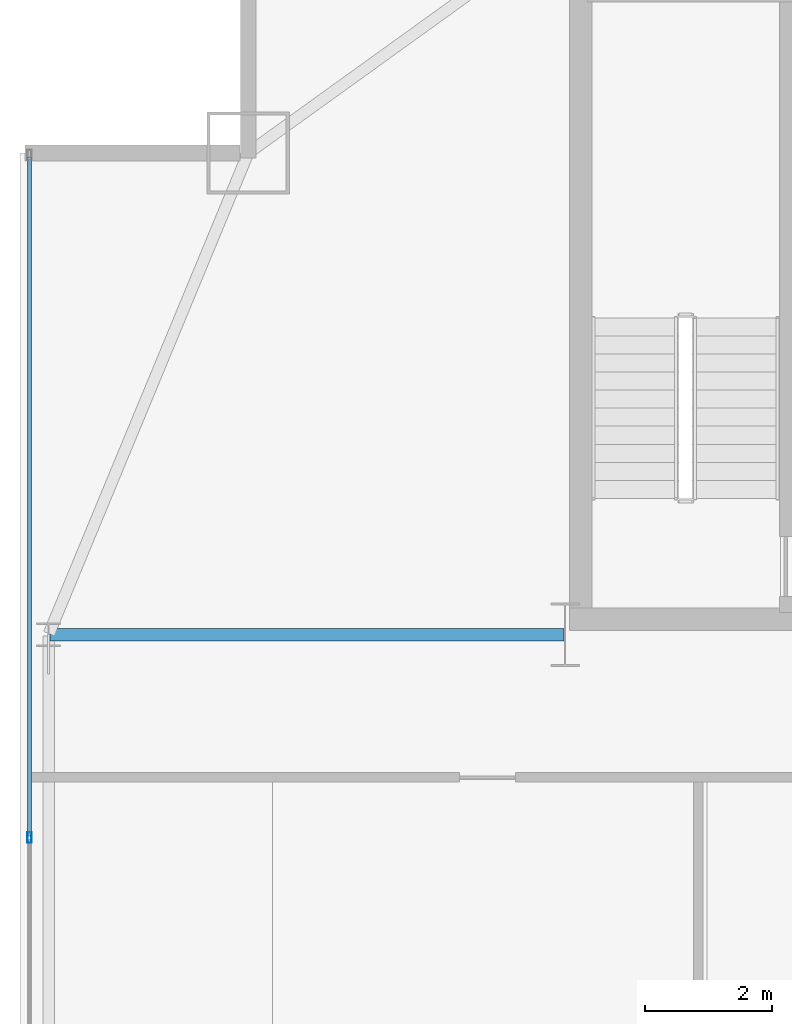
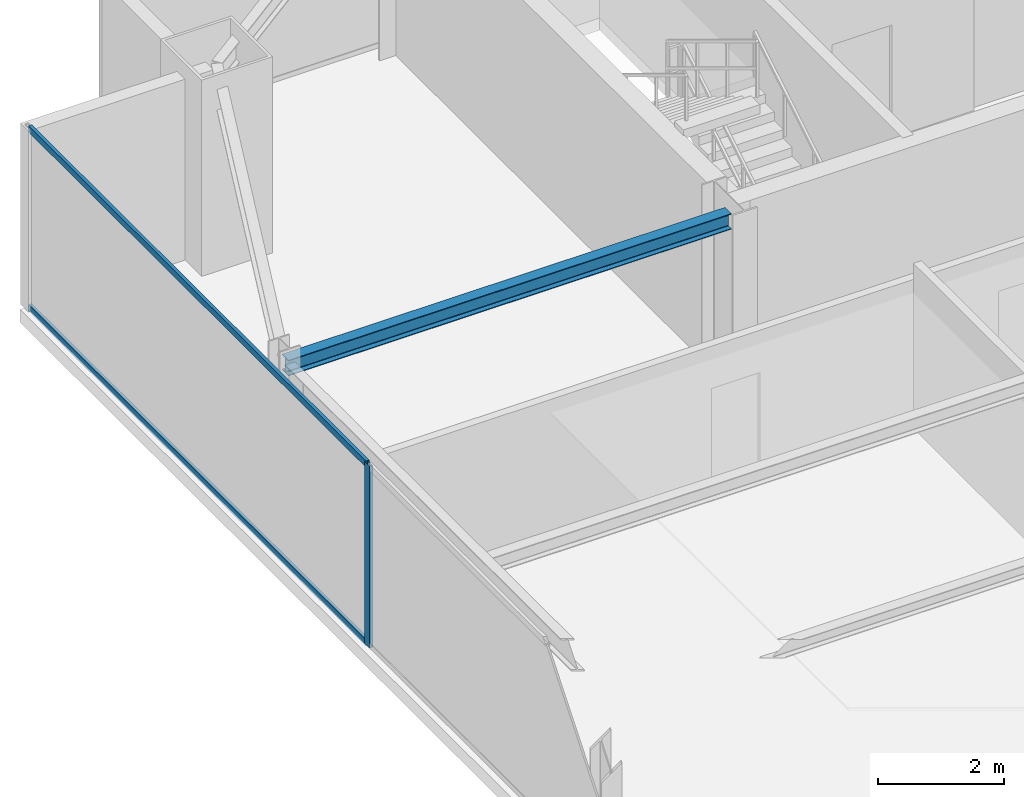
# One storey, part 11 of 29: 3 members, 1 beam, 1 element without a shape of its own.
"""IFC4 building model written with IfcOpenShell, lengths in metres."""

from ifc_helpers import new_model, si_unit, direction, frame, origin, origin_2d, place, context, subcontext, project, spatial, hollow_rectangle, i_section, extrude, source, transform, mapped, material, layer, layer_set, material_profile, profile_set, type_object, type_shapes, element, aggregate, save


model = new_model("IFC4")

# Units and contexts
model_context = context("Model", 3, precision=1e-05, world=origin(), true_north=direction((0.0, 1.0)))
body_context = subcontext(model_context, "Body", "Model", "MODEL_VIEW")
ifc_project = project(units=[si_unit("LENGTHUNIT", "METRE"), si_unit("AREAUNIT", "SQUARE_METRE"), si_unit("VOLUMEUNIT", "CUBIC_METRE"), si_unit("PLANEANGLEUNIT", "RADIAN"), si_unit("MASSUNIT", "GRAM", prefix="KILO")], contexts=[model_context])

# Site, building, storey
site_placement = place(None, origin())
site = spatial("IfcSite", under=ifc_project, at=site_placement, CompositionType="ELEMENT")
building_placement = place(site_placement, origin())
building = spatial("IfcBuilding", under=site, at=building_placement, Name="Varnel Quay Broadcast Tower", CompositionType="ELEMENT")
storey_placement = place(building_placement, frame((0.0, 0.0, 187.60009765625)))
storey = spatial("IfcBuildingStorey", under=building, at=storey_placement, Name="L46", CompositionType="ELEMENT", Elevation=187.60009765625)

# Beam
ifc_material_1 = material(Name="Structural Steel CSA G40.21 350W", Category="steel")
ifc_material_profile_1 = material_profile(ifc_material_1, i_section(OverallWidth=0.202880859375, OverallDepth=0.302978515625, WebThickness=0.007568359375, FlangeThickness=0.01318359375, FilletRadius=0.011962890625, at=origin_2d()), Name="W310X60")
ifc_profile_set_1 = profile_set([ifc_material_profile_1], Name="Structural Steel CSA G40.21 350W")
beam_type = type_object("IfcBeamType", Name="Beam_W310X60", PredefinedType="JOIST", material=ifc_profile_set_1)
shared_shape_1 = source(origin(), body_context, "Body", "SweptSolid", [
    extrude(i_section(OverallWidth=0.202880859375, OverallDepth=0.302978515625, WebThickness=0.007568359375, FlangeThickness=0.01318359375, FilletRadius=0.011962890625, at=origin_2d()), origin(), (0.0, 0.0, 1.0), 8.110107421875),
])
type_shapes(beam_type, [shared_shape_1])
beam_placement = place(storey_placement, frame((7.469970703125, 35.60009765625, 3.368408203125), z_axis=(1.0, 0.0, 0.0), x_axis=(0.0, 1.0, 0.0)))
element("IfcBeam", 1, at=beam_placement, inside=storey, type_object=beam_type, Name="L46 West Core Tie Joist", PredefinedType="JOIST", context=body_context, shape_type="MappedRepresentation", body=[
    mapped(shared_shape_1, transform((0.0, 0.0, 0.0), x_axis=(1.0, 0.0, 0.0), y_axis=(0.0, 1.0, 0.0), z_axis=(0.0, 0.0, 1.0), scale=1.0)),
])

# Curtain wall, members
ifc_material_2 = material(Name="Anodised Bronze Aluminium 6063-T6", Category="aluminium")
ifc_layer = layer(ifc_material_2, 0.18994140625, Name="Anodised Bronze Aluminium 6063-T6")
ifc_layer_set = layer_set([ifc_layer], Name="Anodised Bronze Aluminium 6063-T6")
curtain_wall_type = type_object("IfcCurtainWallType", Name="CW_UpperTower", PredefinedType="NOTDEFINED", material=ifc_layer_set)
curtain_wall_placement = place(storey_placement, origin())
curtain_wall = element("IfcCurtainWall", 2, at=curtain_wall_placement, inside=storey, type_object=curtain_wall_type, Name="L46 West Unitised Curtain Wall", PredefinedType="NOTDEFINED")
ifc_material_profile_2 = material_profile(ifc_material_2, hollow_rectangle(XDim=0.06005859375, YDim=0.125, WallThickness=0.0029296875, at=origin_2d()), Name="ALU60X125X3")
ifc_profile_set_2 = profile_set([ifc_material_profile_2], Name="Anodised Bronze Aluminium 6063-T6")
member_type_1 = type_object("IfcMemberType", Name="Tran_CWS-03", PredefinedType="USERDEFINED", material=ifc_profile_set_2)
shared_shape_2 = source(origin(), body_context, "Body", "SweptSolid", [
    extrude(hollow_rectangle(XDim=0.06005859375, YDim=0.125, WallThickness=0.0029296875, at=origin_2d()), origin(), (0.0, 0.0, 1.0), 10.702392578125),
])
type_shapes(member_type_1, [shared_shape_2])
member_1_placement = place(storey_placement, frame((7.14990234375, 32.4326171875, 0.02978515625), z_axis=(0.0, 1.0, 0.0), x_axis=(-1.0, 0.0, 0.0)))
member_1 = element("IfcMember", 3, at=member_1_placement, type_object=member_type_1, Name="CWS-03 transom 3.1", ObjectType="TRANSOM", PredefinedType="USERDEFINED", context=body_context, shape_type="MappedRepresentation", body=[
    mapped(shared_shape_2, transform((0.0, 0.0, 0.0), x_axis=(1.0, 0.0, 0.0), y_axis=(0.0, 1.0, 0.0), z_axis=(0.0, 0.0, 1.0), scale=1.0)),
])
member_2_placement = place(storey_placement, frame((7.14990234375, 32.4326171875, 3.489990234375), z_axis=(0.0, 1.0, 0.0), x_axis=(-1.0, 0.0, 0.0)))
member_2 = element("IfcMember", 4, at=member_2_placement, type_object=member_type_1, Name="CWS-03 transom 3.2", ObjectType="TRANSOM", PredefinedType="USERDEFINED", context=body_context, shape_type="MappedRepresentation", body=[
    mapped(shared_shape_2, transform((0.0, 0.0, 0.0), x_axis=(1.0, 0.0, 0.0), y_axis=(0.0, 1.0, 0.0), z_axis=(0.0, 0.0, 1.0), scale=1.0)),
])
ifc_material_profile_3 = material_profile(ifc_material_2, hollow_rectangle(XDim=0.06494140625, YDim=0.1650390625, WallThickness=0.00341796875, at=origin_2d()), Name="ALU65X165X3.5")
ifc_profile_set_3 = profile_set([ifc_material_profile_3], Name="Anodised Bronze Aluminium 6063-T6")
member_type_2 = type_object("IfcMemberType", Name="Mull_CWS-03", PredefinedType="MULLION", material=ifc_profile_set_3)
shared_shape_3 = source(origin(), body_context, "Body", "SweptSolid", [
    extrude(hollow_rectangle(XDim=0.06494140625, YDim=0.1650390625, WallThickness=0.00341796875, at=origin_2d()), origin(), (0.0, 0.0, 1.0), 3.52001953125),
])
type_shapes(member_type_2, [shared_shape_3])
member_3_placement = place(storey_placement, frame((7.14990234375, 32.39990234375, 0.0), z_axis=(0.0, 0.0, 1.0), x_axis=(-1.0, 0.0, 0.0)))
member_3 = element("IfcMember", 5, at=member_3_placement, type_object=member_type_2, Name="CWS-03 mullion 3", PredefinedType="MULLION", context=body_context, shape_type="MappedRepresentation", body=[
    mapped(shared_shape_3, transform((0.0, 0.0, 0.0), x_axis=(1.0, 0.0, 0.0), y_axis=(0.0, 1.0, 0.0), z_axis=(0.0, 0.0, 1.0), scale=1.0)),
])
aggregate(curtain_wall, [member_3, member_1, member_2])

save(model, "model.ifc")
